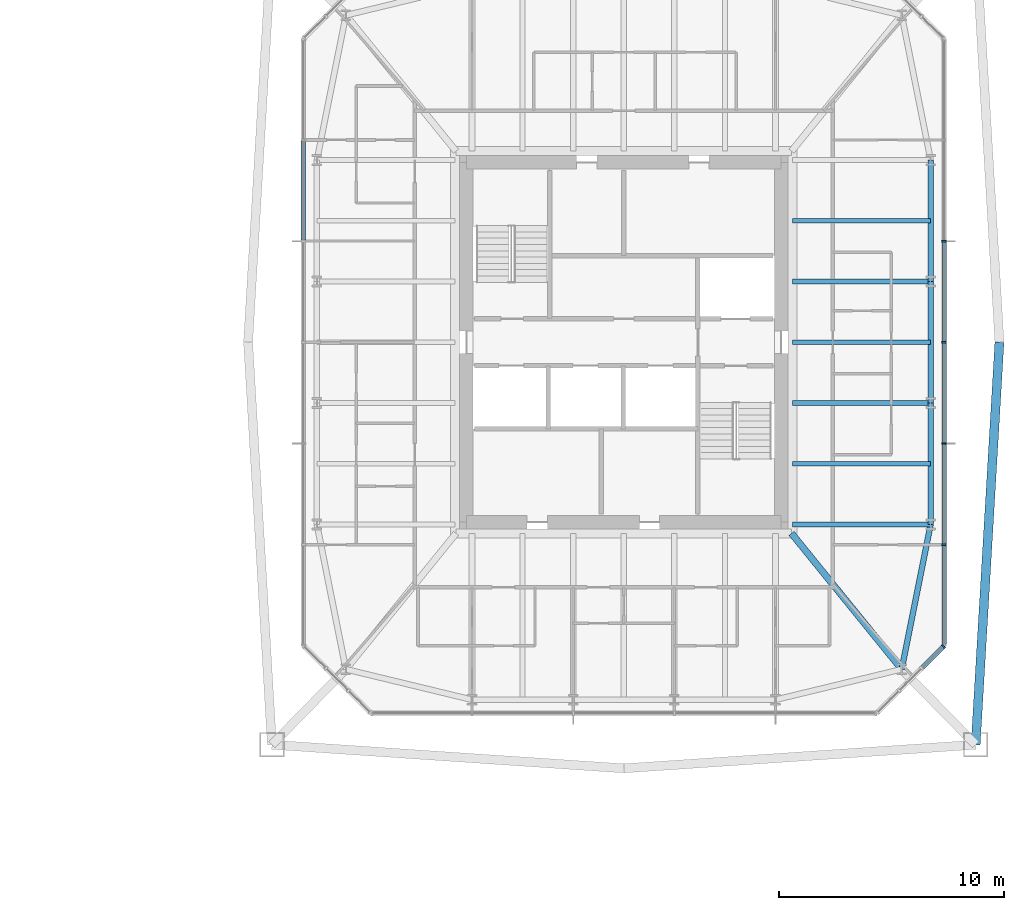
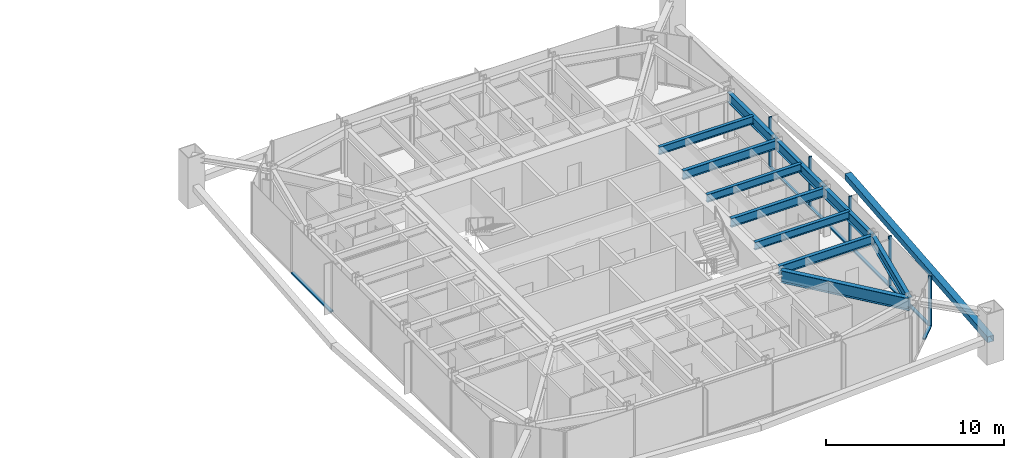
# One storey, part 9 of 25: 12 members, 11 beams, 3 elements without a shape of their own.
"""IFC4 building model written with IfcOpenShell, lengths in metres."""

from ifc_helpers import new_model, si_unit, direction, frame, origin, origin_2d, place, context, subcontext, project, spatial, rectangle, hollow_rectangle, i_section, extrude, material, material_profile, profile_set, type_object, element, aggregate, save


model = new_model("IFC4")

# Units and contexts
model_context = context("Model", 3, precision=1e-05, world=origin(), true_north=direction((0.0, 1.0)))
body_context = subcontext(model_context, "Body", "Model", "MODEL_VIEW")
ifc_project = project(units=[si_unit("LENGTHUNIT", "METRE"), si_unit("AREAUNIT", "SQUARE_METRE"), si_unit("VOLUMEUNIT", "CUBIC_METRE"), si_unit("PLANEANGLEUNIT", "RADIAN"), si_unit("MASSUNIT", "GRAM", prefix="KILO")], contexts=[model_context])

# Site, building, storey
site_placement = place(None, origin())
site = spatial("IfcSite", under=ifc_project, at=site_placement, CompositionType="ELEMENT")
building_placement = place(site_placement, origin())
building = spatial("IfcBuilding", under=site, at=building_placement, Name="Iwan Alto Co-Living Towers", CompositionType="ELEMENT")
storey_placement = place(building_placement, frame((0.0, 0.0, 87.5)))
storey = spatial("IfcBuildingStorey", under=building, at=storey_placement, Name="L23", CompositionType="ELEMENT", Elevation=87.5)

# Curtain wall, members
ifc_material_1 = material(Name="Bronze aluminium unitised frame", Category="aluminium")
curtain_wall_type_1 = type_object("IfcCurtainWallType", Name="CURTAIN WALL CW-C", PredefinedType="NOTDEFINED", material=ifc_material_1)
curtain_wall_1_placement = place(storey_placement, origin())
curtain_wall_1 = element("IfcCurtainWall", 1, at=curtain_wall_1_placement, inside=storey, type_object=curtain_wall_type_1, Name="T2 curtain wall E L23", PredefinedType="NOTDEFINED")
ifc_material_2 = material(Name="Aluminium 6063-T6 bronze anodised", Category="aluminium")
ifc_material_profile_1 = material_profile(ifc_material_2, rectangle(XDim=0.199951171875, YDim=0.080078125, at=origin_2d()), Name="AL 80X200")
ifc_profile_set_1 = profile_set([ifc_material_profile_1], Name="Aluminium 6063-T6 bronze anodised")
member_type_1 = type_object("IfcMemberType", Name="CW-C MULLION 80X200", PredefinedType="MULLION", material=ifc_profile_set_1)
member_1_placement = place(storey_placement, frame((77.25, -9.0, 0.0), z_axis=(0.0, 0.0, 1.0), x_axis=(-1.0, 0.0, 0.0)))
member_1 = element("IfcMember", 2, at=member_1_placement, type_object=member_type_1, Name="CW-C mullion 2", PredefinedType="MULLION", context=body_context, shape_type="SweptSolid", body=[
    extrude(rectangle(XDim=0.199951171875, YDim=0.080078125, at=origin_2d()), origin(), (0.0, 0.0, 1.0), 3.5),
])
member_2_placement = place(storey_placement, frame((77.25, -4.5, 0.0), z_axis=(0.0, 0.0, 1.0), x_axis=(-1.0, 0.0, 0.0)))
member_2 = element("IfcMember", 3, at=member_2_placement, type_object=member_type_1, Name="CW-C mullion 3", PredefinedType="MULLION", context=body_context, shape_type="SweptSolid", body=[
    extrude(rectangle(XDim=0.199951171875, YDim=0.080078125, at=origin_2d()), origin(), (0.0, 0.0, 1.0), 3.5),
])
member_3_placement = place(storey_placement, frame((77.25, 0.0, 0.0), z_axis=(0.0, 0.0, 1.0), x_axis=(-1.0, 0.0, 0.0)))
member_3 = element("IfcMember", 4, at=member_3_placement, type_object=member_type_1, Name="CW-C mullion 4", PredefinedType="MULLION", context=body_context, shape_type="SweptSolid", body=[
    extrude(rectangle(XDim=0.199951171875, YDim=0.080078125, at=origin_2d()), origin(), (0.0, 0.0, 1.0), 3.5),
])
member_4_placement = place(storey_placement, frame((77.25, 4.5, 0.0), z_axis=(0.0, 0.0, 1.0), x_axis=(-1.0, 0.0, 0.0)))
member_4 = element("IfcMember", 5, at=member_4_placement, type_object=member_type_1, Name="CW-C mullion 5", PredefinedType="MULLION", context=body_context, shape_type="SweptSolid", body=[
    extrude(rectangle(XDim=0.199951171875, YDim=0.080078125, at=origin_2d()), origin(), (0.0, 0.0, 1.0), 3.5),
])
ifc_material_3 = material(Name="Aluminium 6063-T6 bronze anodised", Category="aluminium")
ifc_material_profile_2 = material_profile(ifc_material_3, rectangle(XDim=0.199951171875, YDim=0.10009765625, at=origin_2d()), Name="AL 200X100")
ifc_profile_set_2 = profile_set([ifc_material_profile_2], Name="Aluminium 6063-T6 bronze anodised")
member_type_2 = type_object("IfcMemberType", Name="CW-C TRANSOM 200X100", PredefinedType="USERDEFINED", material=ifc_profile_set_2)
member_5_placement = place(storey_placement, frame((77.25, -13.419921875, 0.050048828125), z_axis=(0.0, 1.0, 0.0), x_axis=(-1.0, 0.0, 0.0)))
member_5 = element("IfcMember", 6, at=member_5_placement, type_object=member_type_2, Name="CW-C transom 1.1", ObjectType="TRANSOM", PredefinedType="USERDEFINED", context=body_context, shape_type="SweptSolid", body=[
    extrude(rectangle(XDim=0.199951171875, YDim=0.10009765625, at=origin_2d()), origin(), (0.0, 0.0, 1.0), 4.3798828125),
])
member_6_placement = place(storey_placement, frame((77.25, -8.9599609375, 0.050048828125), z_axis=(0.0, 1.0, 0.0), x_axis=(-1.0, 0.0, 0.0)))
member_6 = element("IfcMember", 7, at=member_6_placement, type_object=member_type_2, Name="CW-C transom 2.1", ObjectType="TRANSOM", PredefinedType="USERDEFINED", context=body_context, shape_type="SweptSolid", body=[
    extrude(rectangle(XDim=0.199951171875, YDim=0.10009765625, at=origin_2d()), origin(), (0.0, 0.0, 1.0), 4.419921875),
])
member_7_placement = place(storey_placement, frame((77.25, -4.4599609375, 0.050048828125), z_axis=(0.0, 1.0, 0.0), x_axis=(-1.0, 0.0, 0.0)))
member_7 = element("IfcMember", 8, at=member_7_placement, type_object=member_type_2, Name="CW-C transom 3.1", ObjectType="TRANSOM", PredefinedType="USERDEFINED", context=body_context, shape_type="SweptSolid", body=[
    extrude(rectangle(XDim=0.199951171875, YDim=0.10009765625, at=origin_2d()), origin(), (0.0, 0.0, 1.0), 4.419921875),
])
member_8_placement = place(storey_placement, frame((77.25, 0.0400390625, 0.050048828125), z_axis=(0.0, 1.0, 0.0), x_axis=(-1.0, 0.0, 0.0)))
member_8 = element("IfcMember", 9, at=member_8_placement, type_object=member_type_2, Name="CW-C transom 4.1", ObjectType="TRANSOM", PredefinedType="USERDEFINED", context=body_context, shape_type="SweptSolid", body=[
    extrude(rectangle(XDim=0.199951171875, YDim=0.10009765625, at=origin_2d()), origin(), (0.0, 0.0, 1.0), 4.419921875),
])
aggregate(curtain_wall_1, [member_1, member_2, member_3, member_4, member_5, member_6, member_7, member_8])

# Curtain wall, member
curtain_wall_2_placement = place(storey_placement, origin())
curtain_wall_2 = element("IfcCurtainWall", 10, at=curtain_wall_2_placement, inside=storey, type_object=curtain_wall_type_1, Name="T2 curtain wall W L23", PredefinedType="NOTDEFINED")
member_9_placement = place(storey_placement, frame((48.75, 8.9599609375, 0.050048828125), z_axis=(0.0, -1.0, 0.0), x_axis=(1.0, 0.0, 0.0)))
member_9 = element("IfcMember", 11, at=member_9_placement, type_object=member_type_2, Name="CW-C transom 2.1", ObjectType="TRANSOM", PredefinedType="USERDEFINED", context=body_context, shape_type="SweptSolid", body=[
    extrude(rectangle(XDim=0.199951171875, YDim=0.10009765625, at=origin_2d()), origin(), (0.0, 0.0, 1.0), 4.419921875),
])
aggregate(curtain_wall_2, [member_9])

# Curtain wall, members
ifc_material_4 = material(Name="Bronze aluminium unitised frame", Category="aluminium")
curtain_wall_type_2 = type_object("IfcCurtainWallType", Name="CURTAIN WALL CW-D", PredefinedType="NOTDEFINED", material=ifc_material_4)
curtain_wall_3_placement = place(storey_placement, origin())
curtain_wall_3 = element("IfcCurtainWall", 12, at=curtain_wall_3_placement, inside=storey, type_object=curtain_wall_type_2, Name="T2 chamfer curtain wall SE L23", PredefinedType="NOTDEFINED")
ifc_material_5 = material(Name="Aluminium 6063-T6 bronze anodised", Category="aluminium")
ifc_material_profile_3 = material_profile(ifc_material_5, rectangle(XDim=0.199951171875, YDim=0.080078125, at=origin_2d()), Name="AL 80X200")
ifc_profile_set_3 = profile_set([ifc_material_profile_3], Name="Aluminium 6063-T6 bronze anodised")
member_type_3 = type_object("IfcMemberType", Name="CW-D MULLION 80X200", PredefinedType="MULLION", material=ifc_profile_set_3)
member_10_placement = place(storey_placement, frame((77.2216796875, -13.5283203125, 0.0), z_axis=(0.0, 0.0, 1.0), x_axis=(-0.707106781187, 0.707106781187, 0.0)))
member_10 = element("IfcMember", 13, at=member_10_placement, type_object=member_type_3, Name="CW-D mullion 4", PredefinedType="MULLION", context=body_context, shape_type="SweptSolid", body=[
    extrude(rectangle(XDim=0.199951171875, YDim=0.080078125, at=origin_2d()), origin(), (0.0, 0.0, 1.0), 3.5),
])
ifc_material_6 = material(Name="Aluminium 6063-T6 bronze anodised", Category="aluminium")
ifc_material_profile_4 = material_profile(ifc_material_6, rectangle(XDim=0.199951171875, YDim=0.10009765625, at=origin_2d()), Name="AL 200X100")
ifc_profile_set_4 = profile_set([ifc_material_profile_4], Name="Aluminium 6063-T6 bronze anodised")
member_type_4 = type_object("IfcMemberType", Name="CW-D TRANSOM 200X100", PredefinedType="USERDEFINED", material=ifc_profile_set_4)
member_11_placement = place(storey_placement, frame((76.2783203125, -14.4716796875, 0.050048828125), z_axis=(0.707106781187, 0.707106781187, 0.0), x_axis=(-0.707106781187, 0.707106781187, 0.0)))
member_11 = element("IfcMember", 14, at=member_11_placement, type_object=member_type_4, Name="CW-D transom 3.1", ObjectType="TRANSOM", PredefinedType="USERDEFINED", context=body_context, shape_type="SweptSolid", body=[
    extrude(rectangle(XDim=0.199951171875, YDim=0.10009765625, at=origin_2d()), origin(), (0.0, 0.0, 1.0), 1.2939453125),
])
aggregate(curtain_wall_3, [member_10, member_11])

# Beams
ifc_material_7 = material(Name="Steel ASTM A992 Gr 50", Category="steel")
ifc_material_profile_5 = material_profile(ifc_material_7, i_section(OverallWidth=0.2919921875, OverallDepth=0.8408203125, WebThickness=0.0146484375, FlangeThickness=0.021728515625, at=origin_2d()), Name="W33X130")
ifc_profile_set_5 = profile_set([ifc_material_profile_5], Name="Steel ASTM A992 Gr 50")
beam_type_1 = type_object("IfcBeamType", Name="T2 CORNER GIRDER W33X130", PredefinedType="BEAM", material=ifc_profile_set_5)
beam_1_placement = place(storey_placement, frame((75.361328125, -14.542724609375, 2.849609375), z_axis=(-0.629783024592, 0.776771100091, 0.0), x_axis=(-0.776771100091, -0.629783024592, 0.0)))
element("IfcBeam", 15, at=beam_1_placement, inside=storey, type_object=beam_type_1, Name="T2 corner girder CSE L24", PredefinedType="BEAM", context=body_context, shape_type="SweptSolid", body=[
    extrude(i_section(OverallWidth=0.2919921875, OverallDepth=0.8408203125, WebThickness=0.0146484375, FlangeThickness=0.021728515625, at=origin_2d()), origin(), (0.0, 0.0, 1.0), 7.780029296875),
])
ifc_material_8 = material(Name="Steel ASTM A992 Gr 50", Category="steel")
ifc_material_profile_6 = material_profile(ifc_material_8, i_section(OverallWidth=0.25390625, OverallDepth=0.683349609375, WebThickness=0.012451171875, FlangeThickness=0.018798828125, at=origin_2d()), Name="W27X94")
ifc_profile_set_6 = profile_set([ifc_material_profile_6], Name="Steel ASTM A992 Gr 50")
beam_type_2 = type_object("IfcBeamType", Name="T2 EDGE BEAM W27X94", PredefinedType="BEAM", material=ifc_profile_set_6)
beam_2_placement = place(storey_placement, frame((75.361328125, -14.542724609375, 2.928466796875), z_axis=(0.196123281025, 0.980579246487, 0.0), x_axis=(-0.980579246487, 0.196123281025, 0.0)))
element("IfcBeam", 16, at=beam_2_placement, inside=storey, type_object=beam_type_2, Name="T2 edge beam CSE L24", PredefinedType="BEAM", context=body_context, shape_type="SweptSolid", body=[
    extrude(i_section(OverallWidth=0.25390625, OverallDepth=0.683349609375, WebThickness=0.012451171875, FlangeThickness=0.018798828125, at=origin_2d()), origin(), (0.0, 0.0, 1.0), 6.5703125),
])
beam_3_placement = place(storey_placement, frame((76.64990234375, -8.10009765625, 2.928466796875), z_axis=(0.0, 1.0, 0.0), x_axis=(-1.0, 0.0, 0.0)))
element("IfcBeam", 17, at=beam_3_placement, inside=storey, type_object=beam_type_2, Name="T2 edge beam E1 L24", PredefinedType="BEAM", context=body_context, shape_type="SweptSolid", body=[
    extrude(i_section(OverallWidth=0.25390625, OverallDepth=0.683349609375, WebThickness=0.012451171875, FlangeThickness=0.018798828125, at=origin_2d()), origin(), (0.0, 0.0, 1.0), 5.400146484375),
])
beam_4_placement = place(storey_placement, frame((76.64990234375, -2.699951171875, 2.928466796875), z_axis=(0.0, 1.0, 0.0), x_axis=(-1.0, 0.0, 0.0)))
element("IfcBeam", 18, at=beam_4_placement, inside=storey, type_object=beam_type_2, Name="T2 edge beam E2 L24", PredefinedType="BEAM", context=body_context, shape_type="SweptSolid", body=[
    extrude(i_section(OverallWidth=0.25390625, OverallDepth=0.683349609375, WebThickness=0.012451171875, FlangeThickness=0.018798828125, at=origin_2d()), origin(), (0.0, 0.0, 1.0), 5.39990234375),
])
beam_5_placement = place(storey_placement, frame((76.64990234375, 2.699951171875, 2.928466796875), z_axis=(0.0, 1.0, 0.0), x_axis=(-1.0, 0.0, 0.0)))
element("IfcBeam", 19, at=beam_5_placement, inside=storey, type_object=beam_type_2, Name="T2 edge beam E3 L24", PredefinedType="BEAM", context=body_context, shape_type="SweptSolid", body=[
    extrude(i_section(OverallWidth=0.25390625, OverallDepth=0.683349609375, WebThickness=0.012451171875, FlangeThickness=0.018798828125, at=origin_2d()), origin(), (0.0, 0.0, 1.0), 5.400146484375),
])

# Member
ifc_material_9 = material(Name="Steel ASTM A500 Gr C", Category="steel")
ifc_material_profile_7 = material_profile(ifc_material_9, hollow_rectangle(XDim=0.406494140625, YDim=0.406494140625, WallThickness=0.0146484375, at=origin_2d()), Name="HSS16X16X5/8")
ifc_profile_set_7 = profile_set([ifc_material_profile_7], Name="Steel ASTM A500 Gr C")
member_type_5 = type_object("IfcMemberType", Name="T2 MEGA TIE HSS16X16X5/8", PredefinedType="STRUT", material=ifc_profile_set_7)
member_12_placement = place(storey_placement, frame((78.64990234375, -17.89990234375, 1.29833984375), z_axis=(0.059036488436, 0.998255825444, 0.0), x_axis=(-0.998255825444, 0.059036488436, 0.0)))
element("IfcMember", 20, at=member_12_placement, inside=storey, type_object=member_type_5, Name="T2 mega tie Z2A E 1", PredefinedType="STRUT", context=body_context, shape_type="SweptSolid", body=[
    extrude(hollow_rectangle(XDim=0.406494140625, YDim=0.406494140625, WallThickness=0.0146484375, at=origin_2d()), origin(), (0.0, 0.0, 1.0), 17.93115234375),
])

# Beams
ifc_material_10 = material(Name="Steel ASTM A992 Gr 50", Category="steel")
ifc_material_profile_8 = material_profile(ifc_material_10, i_section(OverallWidth=0.228271484375, OverallDepth=0.607177734375, WebThickness=0.01123046875, FlangeThickness=0.017333984375, at=origin_2d()), Name="W24X76")
ifc_profile_set_8 = profile_set([ifc_material_profile_8], Name="Steel ASTM A992 Gr 50")
beam_type_3 = type_object("IfcBeamType", Name="T2 RADIAL BEAM W24X76", PredefinedType="BEAM", material=ifc_profile_set_8)
for number, where, z_axis, x_axis, name in (
    (21, (76.64990234375, -8.10009765625, 2.966552734375), (-1.0, 0.0, 0.0), (0.0, -1.0, 0.0), "T2 radial beam E1 L24"),
    (22, (76.64990234375, -2.699951171875, 2.966552734375), (-1.0, 0.0, 0.0), (0.0, -1.0, 0.0), "T2 radial beam E2 L24"),
    (23, (76.64990234375, 2.699951171875, 2.966552734375), (-1.0, 0.0, 0.0), (0.0, -1.0, 0.0), "T2 radial beam E3 L24"),
):
    element("IfcBeam", number, at=place(storey_placement, frame(where, z_axis=z_axis, x_axis=x_axis)), inside=storey, type_object=beam_type_3, Name=name, PredefinedType="BEAM", context=body_context, shape_type="SweptSolid", body=[
        extrude(i_section(OverallWidth=0.228271484375, OverallDepth=0.607177734375, WebThickness=0.01123046875, FlangeThickness=0.017333984375, at=origin_2d()), origin(), (0.0, 0.0, 1.0), 6.150390625),
    ])
ifc_material_11 = material(Name="Steel ASTM A992 Gr 50", Category="steel")
ifc_material_profile_9 = material_profile(ifc_material_11, i_section(OverallWidth=0.209228515625, OverallDepth=0.533447265625, WebThickness=0.01025390625, FlangeThickness=0.015625, at=origin_2d()), Name="W21X62")
ifc_profile_set_9 = profile_set([ifc_material_profile_9], Name="Steel ASTM A992 Gr 50")
beam_type_4 = type_object("IfcBeamType", Name="T2 SECONDARY BEAM W21X62", PredefinedType="JOIST", material=ifc_profile_set_9)
for number, where, z_axis, x_axis, name in (
    (24, (76.64990234375, -5.39990234375, 3.00341796875), (-1.0, 0.0, 0.0), (0.0, -1.0, 0.0), "T2 secondary beam E1 L24"),
    (25, (76.64990234375, 0.0, 3.00341796875), (-1.0, 0.0, 0.0), (0.0, -1.0, 0.0), "T2 secondary beam E2 L24"),
    (26, (76.64990234375, 5.39990234375, 3.00341796875), (-1.0, 0.0, 0.0), (0.0, -1.0, 0.0), "T2 secondary beam E3 L24"),
):
    element("IfcBeam", number, at=place(storey_placement, frame(where, z_axis=z_axis, x_axis=x_axis)), inside=storey, type_object=beam_type_4, Name=name, PredefinedType="JOIST", context=body_context, shape_type="SweptSolid", body=[
        extrude(i_section(OverallWidth=0.209228515625, OverallDepth=0.533447265625, WebThickness=0.01025390625, FlangeThickness=0.015625, at=origin_2d()), origin(), (0.0, 0.0, 1.0), 6.150390625),
    ])

save(model, "model.ifc")
